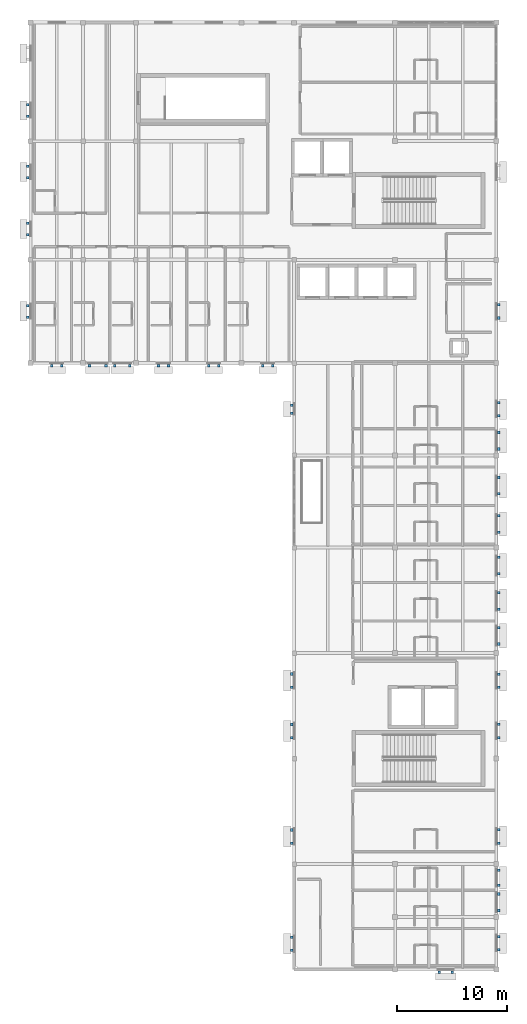
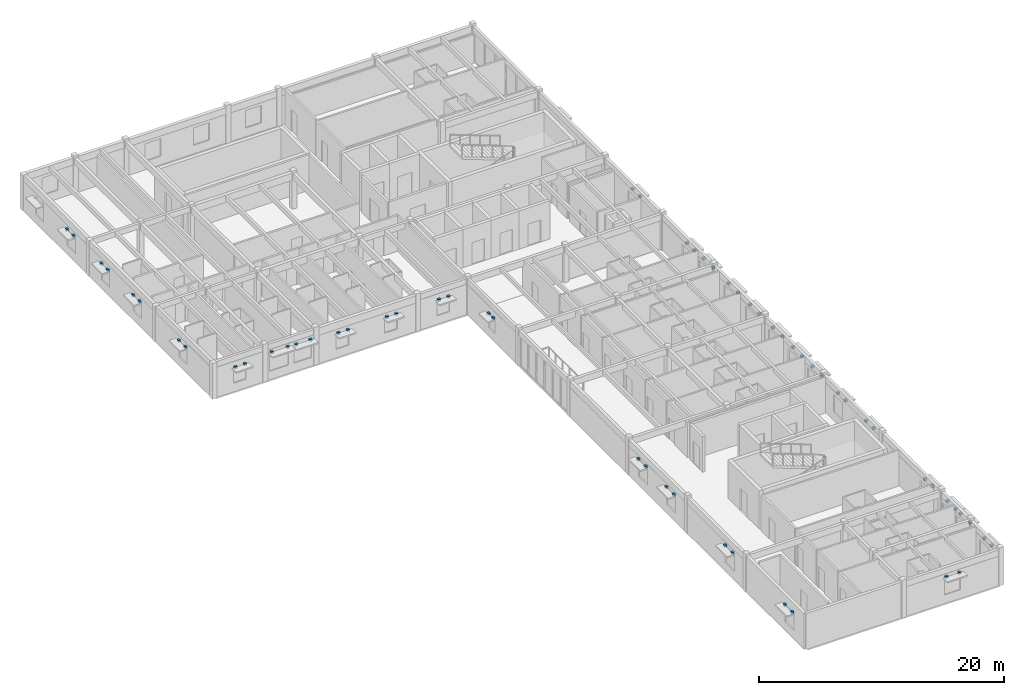
# One storey, part 13 of 17: 60 discrete accessories.
"""IFC4 building model written with IfcOpenShell, lengths in metres."""

from ifc_helpers import new_model, si_unit, direction, frame, origin, origin_2d, place, context, subcontext, project, spatial, rectangle, extrude, material, type_object, element, save


model = new_model("IFC4")

# Units and contexts
model_context = context("Model", 3, precision=1e-05, world=origin(), true_north=direction((0.0, 1.0)))
body_context = subcontext(model_context, "Body", "Model", "MODEL_VIEW")
ifc_project = project(units=[si_unit("LENGTHUNIT", "METRE"), si_unit("AREAUNIT", "SQUARE_METRE"), si_unit("VOLUMEUNIT", "CUBIC_METRE"), si_unit("PLANEANGLEUNIT", "RADIAN"), si_unit("MASSUNIT", "GRAM", prefix="KILO")], contexts=[model_context])

# Site, building, storey
site_placement = place(None, origin())
site = spatial("IfcSite", under=ifc_project, at=site_placement, CompositionType="ELEMENT")
building_placement = place(site_placement, origin())
building = spatial("IfcBuilding", under=site, at=building_placement, Name="Veldera Park Congress Hotel", CompositionType="ELEMENT")
storey_placement = place(building_placement, frame((0.0, 0.0, 35.199951171875)))
storey = spatial("IfcBuildingStorey", under=building, at=storey_placement, Name="L08", CompositionType="ELEMENT", Elevation=35.199951171875)

# Discrete accessories
ifc_material = material(Name="Steel ASTM A992 Gr.50", Category="steel")
discrete_accessory_type = type_object("IfcDiscreteAccessoryType", Name="ACC-BRK160", PredefinedType="BRACKET", material=ifc_material)
for number, where, z_axis, x_axis, name in (
    (1, (78.800048828125, -28.429931640625, 2.56982421875), (0.0, 0.0, 1.0), (1.0, 0.0, 0.0), "Shading Steel Outrigger Bracket 209L"),
    (2, (80.0, -28.429931640625, 2.56982421875), (0.0, 0.0, 1.0), (1.0, 0.0, 0.0), "Shading Steel Outrigger Bracket 209R"),
    (3, (84.22998046875, -26.39990234375, 2.56982421875), (0.0, 0.0, 1.0), (0.0, 1.0, 0.0), "Shading Steel Outrigger Bracket 210L"),
    (4, (84.22998046875, -25.199951171875, 2.56982421875), (0.0, 0.0, 1.0), (0.0, 1.0, 0.0), "Shading Steel Outrigger Bracket 210R"),
    (5, (84.22998046875, -16.6884765625, 2.56982421875), (0.0, 0.0, 1.0), (0.0, 1.0, 0.0), "Shading Steel Outrigger Bracket 211L"),
    (6, (84.22998046875, -15.488525390625, 2.56982421875), (0.0, 0.0, 1.0), (0.0, 1.0, 0.0), "Shading Steel Outrigger Bracket 211R"),
    (7, (84.22998046875, -7.08837890625, 2.56982421875), (0.0, 0.0, 1.0), (0.0, 1.0, 0.0), "Shading Steel Outrigger Bracket 212L"),
    (8, (84.22998046875, -5.888427734375, 2.56982421875), (0.0, 0.0, 1.0), (0.0, 1.0, 0.0), "Shading Steel Outrigger Bracket 212R"),
    (9, (84.22998046875, -2.511474609375, 2.56982421875), (0.0, 0.0, 1.0), (0.0, 1.0, 0.0), "Shading Steel Outrigger Bracket 213L"),
    (10, (84.22998046875, -1.3115234375, 2.56982421875), (0.0, 0.0, 1.0), (0.0, 1.0, 0.0), "Shading Steel Outrigger Bracket 213R"),
    (11, (84.22998046875, 22.199951171875, 2.56982421875), (0.0, 0.0, 1.0), (0.0, 1.0, 0.0), "Shading Steel Outrigger Bracket 214L"),
    (12, (84.22998046875, 23.39990234375, 2.56982421875), (0.0, 0.0, 1.0), (0.0, 1.0, 0.0), "Shading Steel Outrigger Bracket 214R"),
    (13, (84.22998046875, 31.10009765625, 2.56982421875), (0.0, 0.0, 1.0), (0.0, 1.0, 0.0), "Shading Steel Outrigger Bracket 215L"),
    (14, (84.22998046875, 32.300048828125, 2.56982421875), (0.0, 0.0, 1.0), (0.0, 1.0, 0.0), "Shading Steel Outrigger Bracket 215R"),
    (15, (41.3701171875, 50.525146484375, 2.47021484375), (0.0, 0.0, 1.0), (0.0, -1.0, 0.0), "Shading Steel Outrigger Bracket 218L"),
    (16, (41.3701171875, 49.47509765625, 2.47021484375), (0.0, 0.0, 1.0), (0.0, -1.0, 0.0), "Shading Steel Outrigger Bracket 218R"),
    (17, (41.3701171875, 44.9208984375, 2.47021484375), (0.0, 0.0, 1.0), (0.0, -1.0, 0.0), "Shading Steel Outrigger Bracket 219L"),
    (18, (41.3701171875, 43.87109375, 2.47021484375), (0.0, 0.0, 1.0), (0.0, -1.0, 0.0), "Shading Steel Outrigger Bracket 219R"),
    (19, (41.3701171875, 39.72900390625, 2.47021484375), (0.0, 0.0, 1.0), (0.0, -1.0, 0.0), "Shading Steel Outrigger Bracket 220L"),
    (20, (41.3701171875, 38.678955078125, 2.47021484375), (0.0, 0.0, 1.0), (0.0, -1.0, 0.0), "Shading Steel Outrigger Bracket 220R"),
    (21, (41.3701171875, 32.232421875, 2.47021484375), (0.0, 0.0, 1.0), (0.0, -1.0, 0.0), "Shading Steel Outrigger Bracket 221L"),
    (22, (41.3701171875, 31.1826171875, 2.47021484375), (0.0, 0.0, 1.0), (0.0, -1.0, 0.0), "Shading Steel Outrigger Bracket 221R"),
    (23, (43.550048828125, 26.77001953125, 2.3701171875), (0.0, 0.0, 1.0), (1.0, 0.0, 0.0), "Shading Steel Outrigger Bracket 222L"),
    (24, (44.449951171875, 26.77001953125, 2.3701171875), (0.0, 0.0, 1.0), (1.0, 0.0, 0.0), "Shading Steel Outrigger Bracket 222R"),
    (25, (53.261474609375, 26.77001953125, 2.3701171875), (0.0, 0.0, 1.0), (1.0, 0.0, 0.0), "Shading Steel Outrigger Bracket 223L"),
    (26, (54.16162109375, 26.77001953125, 2.3701171875), (0.0, 0.0, 1.0), (1.0, 0.0, 0.0), "Shading Steel Outrigger Bracket 223R"),
    (27, (57.83837890625, 26.77001953125, 2.3701171875), (0.0, 0.0, 1.0), (1.0, 0.0, 0.0), "Shading Steel Outrigger Bracket 224L"),
    (28, (58.738525390625, 26.77001953125, 2.3701171875), (0.0, 0.0, 1.0), (1.0, 0.0, 0.0), "Shading Steel Outrigger Bracket 224R"),
    (29, (62.757568359375, 26.77001953125, 2.3701171875), (0.0, 0.0, 1.0), (1.0, 0.0, 0.0), "Shading Steel Outrigger Bracket 225L"),
    (30, (63.657470703125, 26.77001953125, 2.3701171875), (0.0, 0.0, 1.0), (1.0, 0.0, 0.0), "Shading Steel Outrigger Bracket 225R"),
    (31, (65.3701171875, 23.175048828125, 2.27001953125), (0.0, 0.0, 1.0), (0.0, -1.0, 0.0), "Shading Steel Outrigger Bracket 226L"),
    (32, (65.3701171875, 22.425048828125, 2.27001953125), (0.0, 0.0, 1.0), (0.0, -1.0, 0.0), "Shading Steel Outrigger Bracket 226R"),
    (33, (65.3701171875, -1.303955078125, 2.56982421875), (0.0, 0.0, 1.0), (0.0, -1.0, 0.0), "Shading Steel Outrigger Bracket 227L"),
    (34, (65.3701171875, -2.50390625, 2.56982421875), (0.0, 0.0, 1.0), (0.0, -1.0, 0.0), "Shading Steel Outrigger Bracket 227R"),
    (35, (65.3701171875, -5.89599609375, 2.56982421875), (0.0, 0.0, 1.0), (0.0, -1.0, 0.0), "Shading Steel Outrigger Bracket 228L"),
    (36, (65.3701171875, -7.095947265625, 2.56982421875), (0.0, 0.0, 1.0), (0.0, -1.0, 0.0), "Shading Steel Outrigger Bracket 228R"),
    (37, (65.3701171875, -15.49609375, 2.56982421875), (0.0, 0.0, 1.0), (0.0, -1.0, 0.0), "Shading Steel Outrigger Bracket 229L"),
    (38, (65.3701171875, -16.696044921875, 2.56982421875), (0.0, 0.0, 1.0), (0.0, -1.0, 0.0), "Shading Steel Outrigger Bracket 229R"),
    (39, (65.3701171875, -25.251953125, 2.56982421875), (0.0, 0.0, 1.0), (0.0, -1.0, 0.0), "Shading Steel Outrigger Bracket 230L"),
    (40, (65.3701171875, -26.451904296875, 2.56982421875), (0.0, 0.0, 1.0), (0.0, -1.0, 0.0), "Shading Steel Outrigger Bracket 230R"),
    (41, (84.22998046875, -22.823486328125, 2.669921875), (0.0, 0.0, 1.0), (0.0, 1.0, 0.0), "Shading Steel Outrigger Bracket 466L"),
    (42, (84.22998046875, -21.323486328125, 2.669921875), (0.0, 0.0, 1.0), (0.0, 1.0, 0.0), "Shading Steel Outrigger Bracket 466R"),
    (43, (84.22998046875, -20.511474609375, 2.6201171875), (0.0, 0.0, 1.0), (0.0, 1.0, 0.0), "Shading Steel Outrigger Bracket 467L"),
    (44, (84.22998046875, -19.16162109375, 2.6201171875), (0.0, 0.0, 1.0), (0.0, 1.0, 0.0), "Shading Steel Outrigger Bracket 467R"),
    (45, (84.22998046875, 1.426513671875, 2.669921875), (0.0, 0.0, 1.0), (0.0, 1.0, 0.0), "Shading Steel Outrigger Bracket 468L"),
    (46, (84.22998046875, 2.926513671875, 2.669921875), (0.0, 0.0, 1.0), (0.0, 1.0, 0.0), "Shading Steel Outrigger Bracket 468R"),
    (47, (84.22998046875, 4.590087890625, 2.669921875), (0.0, 0.0, 1.0), (0.0, 1.0, 0.0), "Shading Steel Outrigger Bracket 469L"),
    (48, (84.22998046875, 6.090087890625, 2.669921875), (0.0, 0.0, 1.0), (0.0, 1.0, 0.0), "Shading Steel Outrigger Bracket 469R"),
    (49, (84.22998046875, 7.8134765625, 2.669921875), (0.0, 0.0, 1.0), (0.0, 1.0, 0.0), "Shading Steel Outrigger Bracket 470L"),
    (50, (84.22998046875, 9.3134765625, 2.669921875), (0.0, 0.0, 1.0), (0.0, 1.0, 0.0), "Shading Steel Outrigger Bracket 470R"),
    (51, (84.22998046875, 11.590087890625, 2.669921875), (0.0, 0.0, 1.0), (0.0, 1.0, 0.0), "Shading Steel Outrigger Bracket 471L"),
    (52, (84.22998046875, 13.090087890625, 2.669921875), (0.0, 0.0, 1.0), (0.0, 1.0, 0.0), "Shading Steel Outrigger Bracket 471R"),
    (53, (84.22998046875, 15.090087890625, 2.669921875), (0.0, 0.0, 1.0), (0.0, 1.0, 0.0), "Shading Steel Outrigger Bracket 472L"),
    (54, (84.22998046875, 16.590087890625, 2.669921875), (0.0, 0.0, 1.0), (0.0, 1.0, 0.0), "Shading Steel Outrigger Bracket 472R"),
    (55, (84.22998046875, 19.176513671875, 2.669921875), (0.0, 0.0, 1.0), (0.0, 1.0, 0.0), "Shading Steel Outrigger Bracket 473L"),
    (56, (84.22998046875, 20.676513671875, 2.669921875), (0.0, 0.0, 1.0), (0.0, 1.0, 0.0), "Shading Steel Outrigger Bracket 473R"),
    (57, (46.9765625, 26.77001953125, 2.669921875), (0.0, 0.0, 1.0), (1.0, 0.0, 0.0), "Shading Steel Outrigger Bracket 474L"),
    (58, (48.4765625, 26.77001953125, 2.669921875), (0.0, 0.0, 1.0), (1.0, 0.0, 0.0), "Shading Steel Outrigger Bracket 474R"),
    (59, (49.28857421875, 26.77001953125, 2.6201171875), (0.0, 0.0, 1.0), (1.0, 0.0, 0.0), "Shading Steel Outrigger Bracket 475L"),
    (60, (50.638427734375, 26.77001953125, 2.6201171875), (0.0, 0.0, 1.0), (1.0, 0.0, 0.0), "Shading Steel Outrigger Bracket 475R"),
):
    element("IfcDiscreteAccessory", number, at=place(storey_placement, frame(where, z_axis=z_axis, x_axis=x_axis)), inside=storey, type_object=discrete_accessory_type, Name=name, PredefinedType="BRACKET", context=body_context, shape_type="SweptSolid", body=[
        extrude(rectangle(XDim=0.239990234375, YDim=0.239990234375, at=origin_2d()), origin(), (0.0, 0.0, 1.0), 0.219970703125),
    ])

save(model, "model.ifc")
